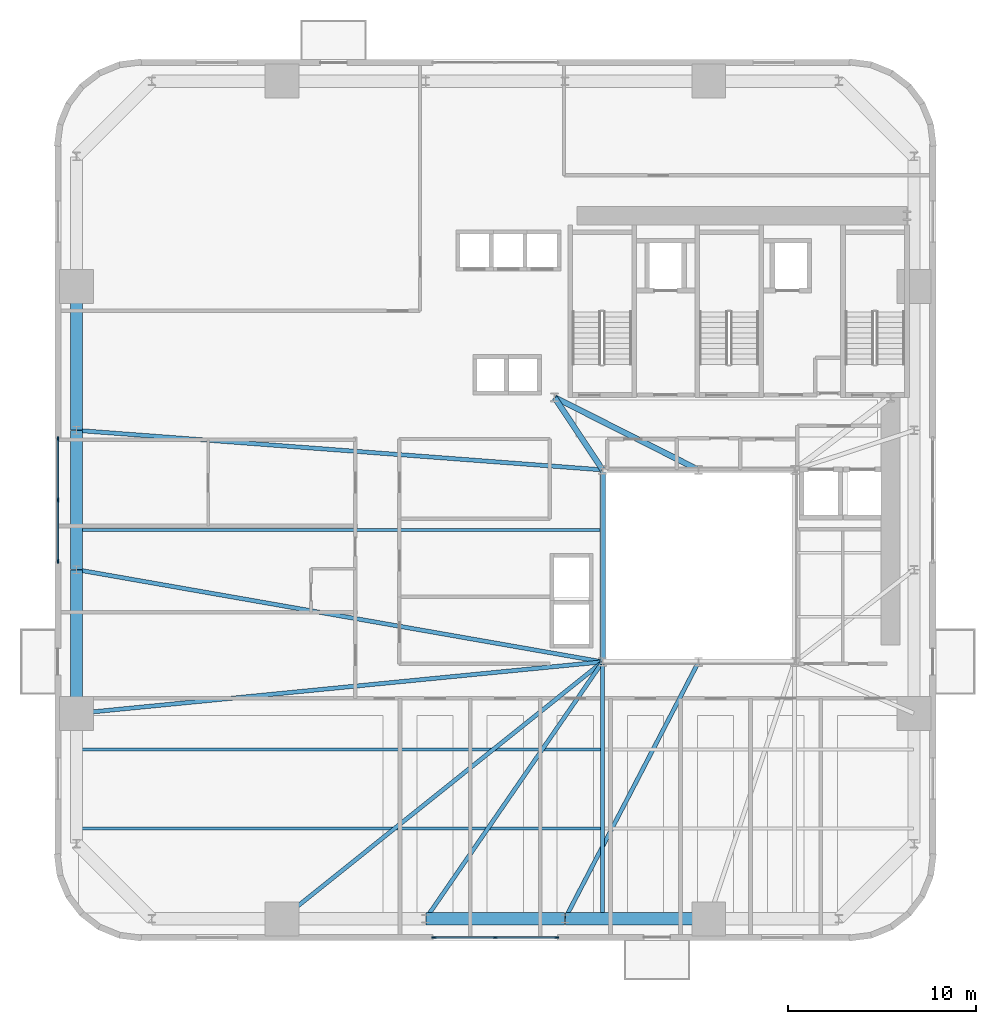
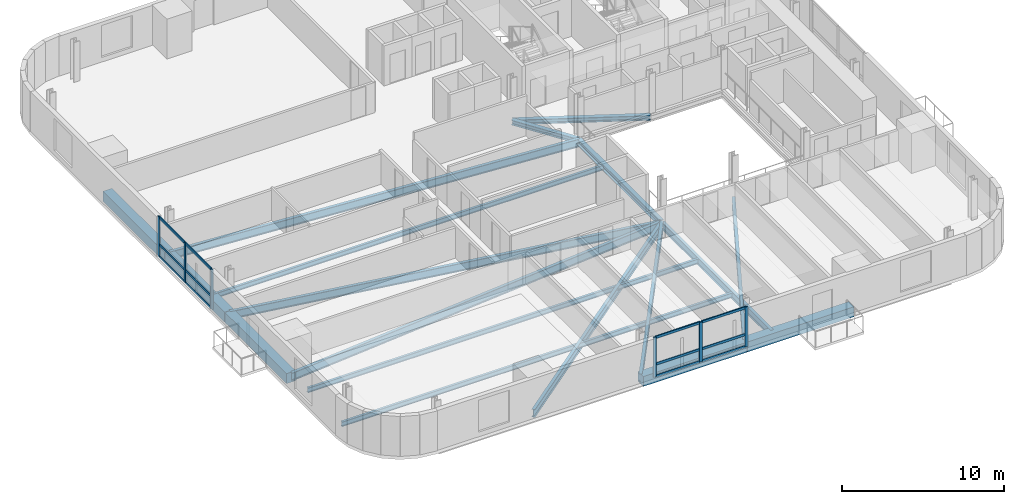
# One storey, part 2 of 13: 18 beams, 18 members, 2 elements without a shape of their own.
"""IFC4 building model written with IfcOpenShell, lengths in metres."""

from ifc_helpers import new_model, si_unit, direction, frame, origin, origin_2d, place, context, subcontext, project, spatial, rectangle, i_section, extrude, source, transform, mapped, material, material_profile, profile_set, type_object, element, aggregate, save


model = new_model("IFC4")

# Units and contexts
model_context = context("Model", 3, precision=1e-05, world=origin(), true_north=direction((0.0, 1.0)))
body_context = subcontext(model_context, "Body", "Model", "MODEL_VIEW")
ifc_project = project(units=[si_unit("LENGTHUNIT", "METRE"), si_unit("AREAUNIT", "SQUARE_METRE"), si_unit("VOLUMEUNIT", "CUBIC_METRE"), si_unit("PLANEANGLEUNIT", "RADIAN"), si_unit("MASSUNIT", "GRAM", prefix="KILO")], contexts=[model_context])

# Site, building, storey
site_placement = place(None, origin())
site = spatial("IfcSite", under=ifc_project, at=site_placement, CompositionType="ELEMENT")
building_placement = place(site_placement, origin())
building = spatial("IfcBuilding", under=site, at=building_placement, Name="Vardaveli Station Tower", CompositionType="ELEMENT")
storey_placement = place(building_placement, frame((0.0, 0.0, 89.64990234375)))
storey = spatial("IfcBuildingStorey", under=building, at=storey_placement, Name="L23", CompositionType="ELEMENT", Elevation=89.64990234375)

# Beams
ifc_material_1 = material(Name="Structural steel S355J2", Category="steel")
ifc_material_profile_1 = material_profile(ifc_material_1, i_section(OverallWidth=0.300048828125, OverallDepth=0.449951171875, WebThickness=0.013916015625, FlangeThickness=0.02587890625, FilletRadius=0.027099609375, at=origin_2d()), Name="HEB 450")
ifc_profile_set_1 = profile_set([ifc_material_profile_1], Name="Structural steel S355J2")
beam_type_1 = type_object("IfcBeamType", Name="BM-HEB450", PredefinedType="BEAM", material=ifc_profile_set_1)
shared_shape_1 = source(origin(), body_context, "Body", "SweptSolid", [
    extrude(i_section(OverallWidth=0.300048828125, OverallDepth=0.449951171875, WebThickness=0.013916015625, FlangeThickness=0.02587890625, FilletRadius=0.027099609375, at=origin_2d()), origin(), (0.0, 0.0, 1.0), 10.159912109375),
])
beam_1_placement = place(storey_placement, frame((31.199951171875, 26.780029296875, -0.46484375), z_axis=(0.0, -1.0, 0.0), x_axis=(1.0, 0.0, 0.0)))
element("IfcBeam", 1, at=beam_1_placement, inside=storey, type_object=beam_type_1, Name="ABM-L23-06", PredefinedType="BEAM", context=body_context, shape_type="MappedRepresentation", body=[
    mapped(shared_shape_1, transform((0.0, 0.0, 0.0), scale=1.0)),
])
ifc_material_profile_2 = material_profile(ifc_material_1, i_section(OverallWidth=0.300048828125, OverallDepth=0.360107421875, WebThickness=0.012451171875, FlangeThickness=0.0224609375, FilletRadius=0.027099609375, at=origin_2d()), Name="HEB 360")
ifc_profile_set_2 = profile_set([ifc_material_profile_2], Name="Structural steel S355J2")
beam_type_2 = type_object("IfcBeamType", Name="BM-HEB360", PredefinedType="BEAM", material=ifc_profile_set_2)
shared_shape_2 = source(origin(), body_context, "Body", "SweptSolid", [
    extrude(i_section(OverallWidth=0.300048828125, OverallDepth=0.360107421875, WebThickness=0.012451171875, FlangeThickness=0.0224609375, FilletRadius=0.027099609375, at=origin_2d()), origin(), (0.0, 0.0, 1.0), 4.577880859375),
])
beam_2_placement = place(storey_placement, frame((31.18896484375, 26.816650390625, -0.419921875), z_axis=(-0.55218702139, 0.833720272879, 0.0), x_axis=(-0.833720272879, -0.55218702139, 0.0)))
element("IfcBeam", 2, at=beam_2_placement, inside=storey, type_object=beam_type_2, Name="CBM-L23-01", PredefinedType="BEAM", context=body_context, shape_type="MappedRepresentation", body=[
    mapped(shared_shape_2, transform((0.0, 0.0, 0.0), scale=1.0)),
])
shared_shape_3 = source(origin(), body_context, "Body", "SweptSolid", [
    extrude(i_section(OverallWidth=0.300048828125, OverallDepth=0.360107421875, WebThickness=0.012451171875, FlangeThickness=0.0224609375, FilletRadius=0.027099609375, at=origin_2d()), origin(), (0.0, 0.0, 1.0), 8.524169921875),
])
beam_3_placement = place(storey_placement, frame((28.66796875, 30.64111328125, -0.419921875), z_axis=(0.893255584708, -0.449549174605, 0.0), x_axis=(0.449549174605, 0.893255584708, 0.0)))
element("IfcBeam", 3, at=beam_3_placement, inside=storey, type_object=beam_type_2, Name="CBM-L23-03", PredefinedType="BEAM", context=body_context, shape_type="MappedRepresentation", body=[
    mapped(shared_shape_3, transform((0.0, 0.0, 0.0), scale=1.0)),
])
ifc_material_2 = material(Name="Precast concrete C45/55", Category="concrete")
ifc_material_profile_3 = material_profile(ifc_material_2, rectangle(XDim=0.64990234375, YDim=0.75, at=origin_2d()), Name="LPB 650x750")
ifc_profile_set_3 = profile_set([ifc_material_profile_3], Name="Precast concrete C45/55")
beam_type_3 = type_object("IfcBeamType", Name="BM-LPB-750", PredefinedType="BEAM", material=ifc_profile_set_3)
shared_shape_4 = source(origin(), body_context, "Body", "SweptSolid", [
    extrude(rectangle(XDim=0.64990234375, YDim=0.75, at=origin_2d()), origin(), (0.0, 0.0, 1.0), 7.60009765625),
])
for number, where, z_axis, x_axis, name in (
    (4, (29.219970703125, 2.949951171875, -0.614990234375), (1.0, 0.0, 0.0), (0.0, 1.0, 0.0), "RBM-L23-03"),
    (5, (3.25, 36.52001953125, -0.614990234375), (0.0, -1.0, 0.0), (1.0, 0.0, 0.0), "RBM-L23-19"),
    (6, (3.25, 21.47998046875, -0.614990234375), (0.0, -1.0, 0.0), (1.0, 0.0, 0.0), "RBM-L23-21"),
):
    element("IfcBeam", number, at=place(storey_placement, frame(where, z_axis=z_axis, x_axis=x_axis)), inside=storey, type_object=beam_type_3, Name=name, PredefinedType="BEAM", context=body_context, shape_type="MappedRepresentation", body=[
        mapped(shared_shape_4, transform((0.0, 0.0, 0.0), scale=1.0)),
    ])
shared_shape_5 = source(origin(), body_context, "Body", "SweptSolid", [
    extrude(rectangle(XDim=0.64990234375, YDim=0.75, at=origin_2d()), origin(), (0.0, 0.0, 1.0), 7.35986328125),
])
for number, where, z_axis, x_axis, name in (
    (7, (21.820068359375, 2.949951171875, -0.614990234375), (1.0, 0.0, 0.0), (0.0, 1.0, 0.0), "RBM-L23-02"),
    (8, (3.25, 28.8798828125, -0.614990234375), (0.0, -1.0, 0.0), (1.0, 0.0, 0.0), "RBM-L23-20"),
):
    element("IfcBeam", number, at=place(storey_placement, frame(where, z_axis=z_axis, x_axis=x_axis)), inside=storey, type_object=beam_type_3, Name=name, PredefinedType="BEAM", context=body_context, shape_type="MappedRepresentation", body=[
        mapped(shared_shape_5, transform((0.0, 0.0, 0.0), scale=1.0)),
    ])
ifc_material_profile_4 = material_profile(ifc_material_1, i_section(OverallWidth=0.219970703125, OverallDepth=0.60009765625, WebThickness=0.011962890625, FlangeThickness=0.01904296875, FilletRadius=0.02392578125, at=origin_2d()), Name="IPE 600")
ifc_profile_set_4 = profile_set([ifc_material_profile_4], Name="Structural steel S355J2")
beam_type_4 = type_object("IfcBeamType", Name="BM-IPE600", PredefinedType="BEAM", material=ifc_profile_set_4)
shared_shape_6 = source(origin(), body_context, "Body", "SweptSolid", [
    extrude(i_section(OverallWidth=0.219970703125, OverallDepth=0.60009765625, WebThickness=0.011962890625, FlangeThickness=0.01904296875, FilletRadius=0.02392578125, at=origin_2d()), origin(), (0.0, 0.0, 1.0), 21.793212890625),
])
beam_4_placement = place(storey_placement, frame((14.175537109375, 2.96240234375, -0.539794921875), z_axis=(0.780466445023, 0.625197671296, 0.0), x_axis=(-0.625197671296, 0.780466445023, 0.0)))
element("IfcBeam", 9, at=beam_4_placement, inside=storey, type_object=beam_type_4, Name="GBM-L23-01", PredefinedType="BEAM", context=body_context, shape_type="MappedRepresentation", body=[
    mapped(shared_shape_6, transform((0.0, 0.0, 0.0), scale=1.0)),
])
shared_shape_7 = source(origin(), body_context, "Body", "SweptSolid", [
    extrude(i_section(OverallWidth=0.219970703125, OverallDepth=0.60009765625, WebThickness=0.011962890625, FlangeThickness=0.01904296875, FilletRadius=0.02392578125, at=origin_2d()), origin(), (0.0, 0.0, 1.0), 16.533447265625),
])
beam_5_placement = place(storey_placement, frame((21.811279296875, 2.966552734375, -0.539794921875), z_axis=(0.567177272103, 0.823595739431, 0.0), x_axis=(-0.823595739431, 0.567177272103, 0.0)))
element("IfcBeam", 10, at=beam_5_placement, inside=storey, type_object=beam_type_4, Name="GBM-L23-02", PredefinedType="BEAM", context=body_context, shape_type="MappedRepresentation", body=[
    mapped(shared_shape_7, transform((0.0, 0.0, 0.0), scale=1.0)),
])
shared_shape_8 = source(origin(), body_context, "Body", "SweptSolid", [
    extrude(i_section(OverallWidth=0.219970703125, OverallDepth=0.60009765625, WebThickness=0.011962890625, FlangeThickness=0.01904296875, FilletRadius=0.02392578125, at=origin_2d()), origin(), (0.0, 0.0, 1.0), 15.34619140625),
])
beam_6_placement = place(storey_placement, frame((29.209228515625, 2.9677734375, -0.539794921875), z_axis=(0.461455420507, 0.887163398075, 0.0), x_axis=(-0.887163398075, 0.461455420507, 0.0)))
element("IfcBeam", 11, at=beam_6_placement, inside=storey, type_object=beam_type_4, Name="GBM-L23-03", PredefinedType="BEAM", context=body_context, shape_type="MappedRepresentation", body=[
    mapped(shared_shape_8, transform((0.0, 0.0, 0.0), scale=1.0)),
])
shared_shape_9 = source(origin(), body_context, "Body", "SweptSolid", [
    extrude(i_section(OverallWidth=0.219970703125, OverallDepth=0.60009765625, WebThickness=0.011962890625, FlangeThickness=0.01904296875, FilletRadius=0.02392578125, at=origin_2d()), origin(), (0.0, 0.0, 1.0), 27.98876953125),
])
beam_7_placement = place(storey_placement, frame((3.27001953125, 28.8984375, -0.539794921875), z_axis=(0.99718954315, -0.074920057611, 0.0), x_axis=(0.074920057611, 0.99718954315, 0.0)))
element("IfcBeam", 12, at=beam_7_placement, inside=storey, type_object=beam_type_4, Name="GBM-L23-08", PredefinedType="BEAM", context=body_context, shape_type="MappedRepresentation", body=[
    mapped(shared_shape_9, transform((0.0, 0.0, 0.0), scale=1.0)),
])
shared_shape_10 = source(origin(), body_context, "Body", "SweptSolid", [
    extrude(i_section(OverallWidth=0.219970703125, OverallDepth=0.60009765625, WebThickness=0.011962890625, FlangeThickness=0.01904296875, FilletRadius=0.02392578125, at=origin_2d()), origin(), (0.0, 0.0, 1.0), 28.33642578125),
])
beam_8_placement = place(storey_placement, frame((3.269775390625, 21.49658203125, -0.539794921875), z_axis=(0.984978267336, -0.172678350921, 0.0), x_axis=(0.172678350921, 0.984978267336, 0.0)))
element("IfcBeam", 13, at=beam_8_placement, inside=storey, type_object=beam_type_4, Name="GBM-L23-09", PredefinedType="BEAM", context=body_context, shape_type="MappedRepresentation", body=[
    mapped(shared_shape_10, transform((0.0, 0.0, 0.0), scale=1.0)),
])
shared_shape_11 = source(origin(), body_context, "Body", "SweptSolid", [
    extrude(i_section(OverallWidth=0.219970703125, OverallDepth=0.60009765625, WebThickness=0.011962890625, FlangeThickness=0.01904296875, FilletRadius=0.02392578125, at=origin_2d()), origin(), (0.0, 0.0, 1.0), 28.0439453125),
])
beam_9_placement = place(storey_placement, frame((3.27001953125, 13.862060546875, -0.539794921875), z_axis=(0.995229237856, 0.097564153855, 0.0), x_axis=(-0.097564153855, 0.995229237856, 0.0)))
element("IfcBeam", 14, at=beam_9_placement, inside=storey, type_object=beam_type_4, Name="GBM-L23-10", PredefinedType="BEAM", context=body_context, shape_type="MappedRepresentation", body=[
    mapped(shared_shape_11, transform((0.0, 0.0, 0.0), scale=1.0)),
])
ifc_material_profile_5 = material_profile(ifc_material_1, i_section(OverallWidth=0.2099609375, OverallDepth=0.550048828125, WebThickness=0.010986328125, FlangeThickness=0.01708984375, FilletRadius=0.02392578125, at=origin_2d()), Name="IPE 550")
ifc_profile_set_5 = profile_set([ifc_material_profile_5], Name="Structural steel S355J2")
beam_type_5 = type_object("IfcBeamType", Name="BM-IPE550", PredefinedType="BEAM", material=ifc_profile_set_5)
shared_shape_12 = source(origin(), body_context, "Body", "SweptSolid", [
    extrude(i_section(OverallWidth=0.2099609375, OverallDepth=0.550048828125, WebThickness=0.010986328125, FlangeThickness=0.01708984375, FilletRadius=0.02392578125, at=origin_2d()), origin(), (0.0, 0.0, 1.0), 13.469970703125),
])
beam_10_placement = place(storey_placement, frame((31.199951171875, 2.989990234375, -0.514892578125), z_axis=(0.0, 1.0, 0.0), x_axis=(-1.0, 0.0, 0.0)))
element("IfcBeam", 15, at=beam_10_placement, inside=storey, type_object=beam_type_5, Name="NSM-L23-S1", PredefinedType="BEAM", context=body_context, shape_type="MappedRepresentation", body=[
    mapped(shared_shape_12, transform((0.0, 0.0, 0.0), scale=1.0)),
])
ifc_material_profile_6 = material_profile(ifc_material_1, i_section(OverallWidth=0.169921875, OverallDepth=0.360107421875, WebThickness=0.008056640625, FlangeThickness=0.0126953125, FilletRadius=0.01806640625, at=origin_2d()), Name="IPE 360")
ifc_profile_set_6 = profile_set([ifc_material_profile_6], Name="Structural steel S355J2")
beam_type_6 = type_object("IfcBeamType", Name="BM-IPE360", PredefinedType="JOIST", material=ifc_profile_set_6)
shared_shape_13 = source(origin(), body_context, "Body", "SweptSolid", [
    extrude(i_section(OverallWidth=0.169921875, OverallDepth=0.360107421875, WebThickness=0.008056640625, FlangeThickness=0.0126953125, FilletRadius=0.01806640625, at=origin_2d()), origin(), (0.0, 0.0, 1.0), 27.7978515625),
])
for number, where, z_axis, x_axis, name in (
    (16, (3.2900390625, 7.75, -0.419921875), (1.0, 0.0, 0.0), (0.0, 1.0, 0.0), "SJ-L23-S01"),
    (17, (3.2900390625, 11.949951171875, -0.419921875), (1.0, 0.0, 0.0), (0.0, 1.0, 0.0), "SJ-L23-S04"),
    (18, (3.2900390625, 23.60009765625, -0.419921875), (1.0, 0.0, 0.0), (0.0, 1.0, 0.0), "SJ-L23-W08"),
):
    element("IfcBeam", number, at=place(storey_placement, frame(where, z_axis=z_axis, x_axis=x_axis)), inside=storey, type_object=beam_type_6, Name=name, PredefinedType="JOIST", context=body_context, shape_type="MappedRepresentation", body=[
        mapped(shared_shape_13, transform((0.0, 0.0, 0.0), scale=1.0)),
    ])

# Curtain wall, members
ifc_material_3 = material(Name="Travertine stone and solar-control glass", Category="masonry")
curtain_wall_type = type_object("IfcCurtainWallType", Name="CW-SYS-2", PredefinedType="NOTDEFINED", material=ifc_material_3)
curtain_wall_1_placement = place(storey_placement, origin())
curtain_wall_1 = element("IfcCurtainWall", 19, at=curtain_wall_1_placement, inside=storey, type_object=curtain_wall_type, Name="CW-L23-S", PredefinedType="NOTDEFINED")
ifc_material_4 = material(Name="Anodised aluminium alloy 6063-T6", Category="aluminium")
ifc_material_profile_7 = material_profile(ifc_material_4, rectangle(XDim=0.0849609375, YDim=0.179931640625, at=origin_2d()), Name="CWT 85x180")
ifc_profile_set_7 = profile_set([ifc_material_profile_7], Name="Anodised aluminium alloy 6063-T6")
member_type_1 = type_object("IfcMemberType", Name="CW-SYS-2-TRAN", PredefinedType="NOTDEFINED", material=ifc_profile_set_7)
shared_shape_14 = source(origin(), body_context, "Body", "SweptSolid", [
    extrude(rectangle(XDim=0.0849609375, YDim=0.179931640625, at=origin_2d()), origin(), (0.0, 0.0, 1.0), 3.172607421875),
])
member_1_placement = place(storey_placement, frame((22.284912109375, 1.9599609375, 0.04248046875), z_axis=(1.0, 0.0, 0.0), x_axis=(0.0, 1.0, 0.0)))
member_1 = element("IfcMember", 20, at=member_1_placement, type_object=member_type_1, Name="CW-2 transom 1.1", ObjectType="TRANSOM", PredefinedType="USERDEFINED", context=body_context, shape_type="MappedRepresentation", body=[
    mapped(shared_shape_14, transform((0.0, 0.0, 0.0), scale=1.0)),
])
member_2_placement = place(storey_placement, frame((22.284912109375, 1.9599609375, 0.9501953125), z_axis=(1.0, 0.0, 0.0), x_axis=(0.0, 1.0, 0.0)))
member_2 = element("IfcMember", 21, at=member_2_placement, type_object=member_type_1, Name="CW-2 transom 1.2", ObjectType="TRANSOM", PredefinedType="USERDEFINED", context=body_context, shape_type="MappedRepresentation", body=[
    mapped(shared_shape_14, transform((0.0, 0.0, 0.0), scale=1.0)),
])
member_3_placement = place(storey_placement, frame((22.284912109375, 1.9599609375, 2.95751953125), z_axis=(1.0, 0.0, 0.0), x_axis=(0.0, 1.0, 0.0)))
member_3 = element("IfcMember", 22, at=member_3_placement, type_object=member_type_1, Name="CW-2 transom 1.3", ObjectType="TRANSOM", PredefinedType="USERDEFINED", context=body_context, shape_type="MappedRepresentation", body=[
    mapped(shared_shape_14, transform((0.0, 0.0, 0.0), scale=1.0)),
])
member_4_placement = place(storey_placement, frame((25.54248046875, 1.9599609375, 0.04248046875), z_axis=(1.0, 0.0, 0.0), x_axis=(0.0, 1.0, 0.0)))
member_4 = element("IfcMember", 23, at=member_4_placement, type_object=member_type_1, Name="CW-2 transom 2.1", ObjectType="TRANSOM", PredefinedType="USERDEFINED", context=body_context, shape_type="MappedRepresentation", body=[
    mapped(shared_shape_14, transform((0.0, 0.0, 0.0), scale=1.0)),
])
member_5_placement = place(storey_placement, frame((25.54248046875, 1.9599609375, 0.9501953125), z_axis=(1.0, 0.0, 0.0), x_axis=(0.0, 1.0, 0.0)))
member_5 = element("IfcMember", 24, at=member_5_placement, type_object=member_type_1, Name="CW-2 transom 2.2", ObjectType="TRANSOM", PredefinedType="USERDEFINED", context=body_context, shape_type="MappedRepresentation", body=[
    mapped(shared_shape_14, transform((0.0, 0.0, 0.0), scale=1.0)),
])
member_6_placement = place(storey_placement, frame((25.54248046875, 1.9599609375, 2.95751953125), z_axis=(1.0, 0.0, 0.0), x_axis=(0.0, 1.0, 0.0)))
member_6 = element("IfcMember", 25, at=member_6_placement, type_object=member_type_1, Name="CW-2 transom 2.3", ObjectType="TRANSOM", PredefinedType="USERDEFINED", context=body_context, shape_type="MappedRepresentation", body=[
    mapped(shared_shape_14, transform((0.0, 0.0, 0.0), scale=1.0)),
])

curtain_wall_2_placement = place(storey_placement, origin())
curtain_wall_2 = element("IfcCurtainWall", 26, at=curtain_wall_2_placement, inside=storey, type_object=curtain_wall_type, Name="CW-L23-W", PredefinedType="NOTDEFINED")
member_7_placement = place(storey_placement, frame((2.260009765625, 28.4150390625, 0.04248046875), z_axis=(0.0, -1.0, 0.0), x_axis=(1.0, 0.0, 0.0)))
member_7 = element("IfcMember", 27, at=member_7_placement, type_object=member_type_1, Name="CW-2 transom 1.1", ObjectType="TRANSOM", PredefinedType="USERDEFINED", context=body_context, shape_type="MappedRepresentation", body=[
    mapped(shared_shape_14, transform((0.0, 0.0, 0.0), scale=1.0)),
])
member_8_placement = place(storey_placement, frame((2.260009765625, 28.4150390625, 0.9501953125), z_axis=(0.0, -1.0, 0.0), x_axis=(1.0, 0.0, 0.0)))
member_8 = element("IfcMember", 28, at=member_8_placement, type_object=member_type_1, Name="CW-2 transom 1.2", ObjectType="TRANSOM", PredefinedType="USERDEFINED", context=body_context, shape_type="MappedRepresentation", body=[
    mapped(shared_shape_14, transform((0.0, 0.0, 0.0), scale=1.0)),
])
member_9_placement = place(storey_placement, frame((2.260009765625, 28.4150390625, 2.95751953125), z_axis=(0.0, -1.0, 0.0), x_axis=(1.0, 0.0, 0.0)))
member_9 = element("IfcMember", 29, at=member_9_placement, type_object=member_type_1, Name="CW-2 transom 1.3", ObjectType="TRANSOM", PredefinedType="USERDEFINED", context=body_context, shape_type="MappedRepresentation", body=[
    mapped(shared_shape_14, transform((0.0, 0.0, 0.0), scale=1.0)),
])
shared_shape_15 = source(origin(), body_context, "Body", "SweptSolid", [
    extrude(rectangle(XDim=0.0849609375, YDim=0.179931640625, at=origin_2d()), origin(), (0.0, 0.0, 1.0), 3.17236328125),
])
member_10_placement = place(storey_placement, frame((2.260009765625, 25.157470703125, 0.04248046875), z_axis=(0.0, -1.0, 0.0), x_axis=(1.0, 0.0, 0.0)))
member_10 = element("IfcMember", 30, at=member_10_placement, type_object=member_type_1, Name="CW-2 transom 2.1", ObjectType="TRANSOM", PredefinedType="USERDEFINED", context=body_context, shape_type="MappedRepresentation", body=[
    mapped(shared_shape_15, transform((0.0, 0.0, 0.0), scale=1.0)),
])
member_11_placement = place(storey_placement, frame((2.260009765625, 25.157470703125, 0.9501953125), z_axis=(0.0, -1.0, 0.0), x_axis=(1.0, 0.0, 0.0)))
member_11 = element("IfcMember", 31, at=member_11_placement, type_object=member_type_1, Name="CW-2 transom 2.2", ObjectType="TRANSOM", PredefinedType="USERDEFINED", context=body_context, shape_type="MappedRepresentation", body=[
    mapped(shared_shape_15, transform((0.0, 0.0, 0.0), scale=1.0)),
])
member_12_placement = place(storey_placement, frame((2.260009765625, 25.157470703125, 2.95751953125), z_axis=(0.0, -1.0, 0.0), x_axis=(1.0, 0.0, 0.0)))
member_12 = element("IfcMember", 32, at=member_12_placement, type_object=member_type_1, Name="CW-2 transom 2.3", ObjectType="TRANSOM", PredefinedType="USERDEFINED", context=body_context, shape_type="MappedRepresentation", body=[
    mapped(shared_shape_15, transform((0.0, 0.0, 0.0), scale=1.0)),
])

# Member
ifc_material_profile_8 = material_profile(ifc_material_4, rectangle(XDim=0.0849609375, YDim=0.219970703125, at=origin_2d()), Name="CWM 85x220")
ifc_profile_set_8 = profile_set([ifc_material_profile_8], Name="Anodised aluminium alloy 6063-T6")
member_type_2 = type_object("IfcMemberType", Name="CW-SYS-2-MULL", PredefinedType="MULLION", material=ifc_profile_set_8)
shared_shape_16 = source(origin(), body_context, "Body", "SweptSolid", [
    extrude(rectangle(XDim=0.0849609375, YDim=0.219970703125, at=origin_2d()), origin(), (0.0, 0.0, 1.0), 3.0),
])
member_13_placement = place(storey_placement, frame((22.242431640625, 1.9599609375, 0.0), z_axis=(0.0, 0.0, 1.0), x_axis=(0.0, 1.0, 0.0)))
member_13 = element("IfcMember", 33, at=member_13_placement, type_object=member_type_2, Name="CW-2 mullion 1", PredefinedType="MULLION", context=body_context, shape_type="MappedRepresentation", body=[
    mapped(shared_shape_16, transform((0.0, 0.0, 0.0), scale=1.0)),
])

member_14_placement = place(storey_placement, frame((25.5, 1.9599609375, 0.0), z_axis=(0.0, 0.0, 1.0), x_axis=(0.0, 1.0, 0.0)))
member_14 = element("IfcMember", 34, at=member_14_placement, type_object=member_type_2, Name="CW-2 mullion 2", PredefinedType="MULLION", context=body_context, shape_type="MappedRepresentation", body=[
    mapped(shared_shape_16, transform((0.0, 0.0, 0.0), scale=1.0)),
])

member_15_placement = place(storey_placement, frame((28.757568359375, 1.9599609375, 0.0), z_axis=(0.0, 0.0, 1.0), x_axis=(0.0, 1.0, 0.0)))
member_15 = element("IfcMember", 35, at=member_15_placement, type_object=member_type_2, Name="CW-2 mullion 3", PredefinedType="MULLION", context=body_context, shape_type="MappedRepresentation", body=[
    mapped(shared_shape_16, transform((0.0, 0.0, 0.0), scale=1.0)),
])

aggregate(curtain_wall_1, [member_13, member_14, member_15, member_1, member_2, member_3, member_4, member_5, member_6])

member_16_placement = place(storey_placement, frame((2.260009765625, 28.45751953125, 0.0), z_axis=(0.0, 0.0, 1.0), x_axis=(1.0, 0.0, 0.0)))
member_16 = element("IfcMember", 36, at=member_16_placement, type_object=member_type_2, Name="CW-2 mullion 1", PredefinedType="MULLION", context=body_context, shape_type="MappedRepresentation", body=[
    mapped(shared_shape_16, transform((0.0, 0.0, 0.0), scale=1.0)),
])

member_17_placement = place(storey_placement, frame((2.260009765625, 25.199951171875, 0.0), z_axis=(0.0, 0.0, 1.0), x_axis=(1.0, 0.0, 0.0)))
member_17 = element("IfcMember", 37, at=member_17_placement, type_object=member_type_2, Name="CW-2 mullion 2", PredefinedType="MULLION", context=body_context, shape_type="MappedRepresentation", body=[
    mapped(shared_shape_16, transform((0.0, 0.0, 0.0), scale=1.0)),
])

member_18_placement = place(storey_placement, frame((2.260009765625, 21.9423828125, 0.0), z_axis=(0.0, 0.0, 1.0), x_axis=(1.0, 0.0, 0.0)))
member_18 = element("IfcMember", 38, at=member_18_placement, type_object=member_type_2, Name="CW-2 mullion 3", PredefinedType="MULLION", context=body_context, shape_type="MappedRepresentation", body=[
    mapped(shared_shape_16, transform((0.0, 0.0, 0.0), scale=1.0)),
])

aggregate(curtain_wall_2, [member_16, member_17, member_18, member_7, member_8, member_9, member_10, member_11, member_12])

save(model, "model.ifc")
